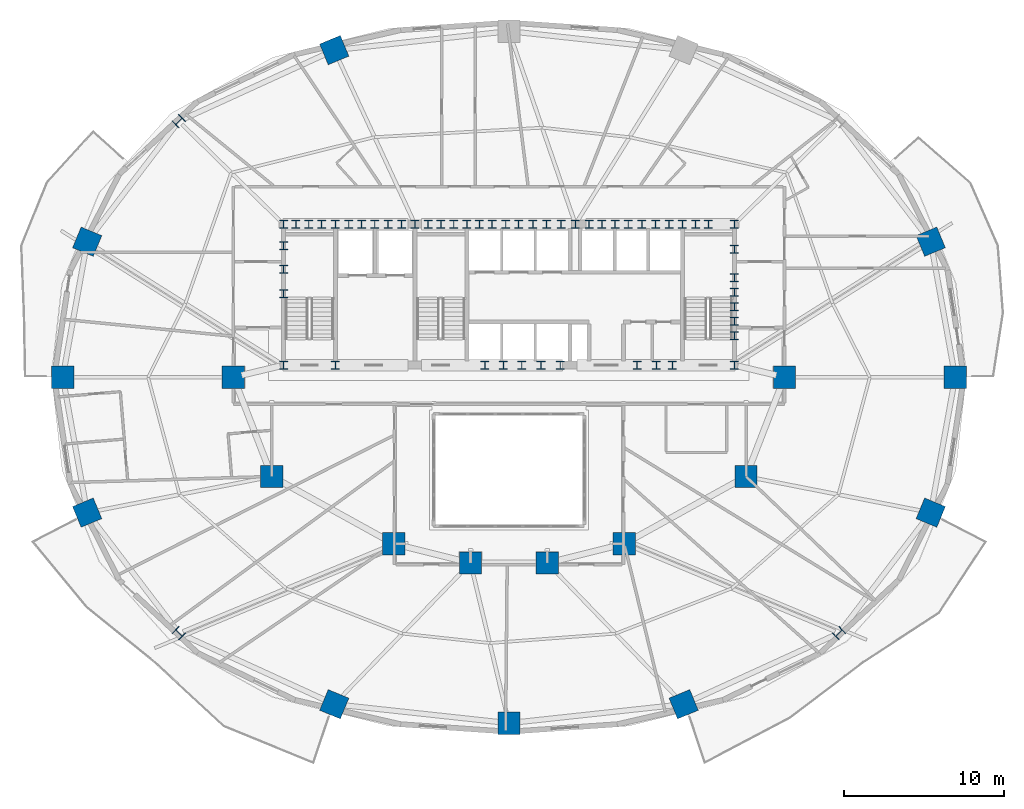
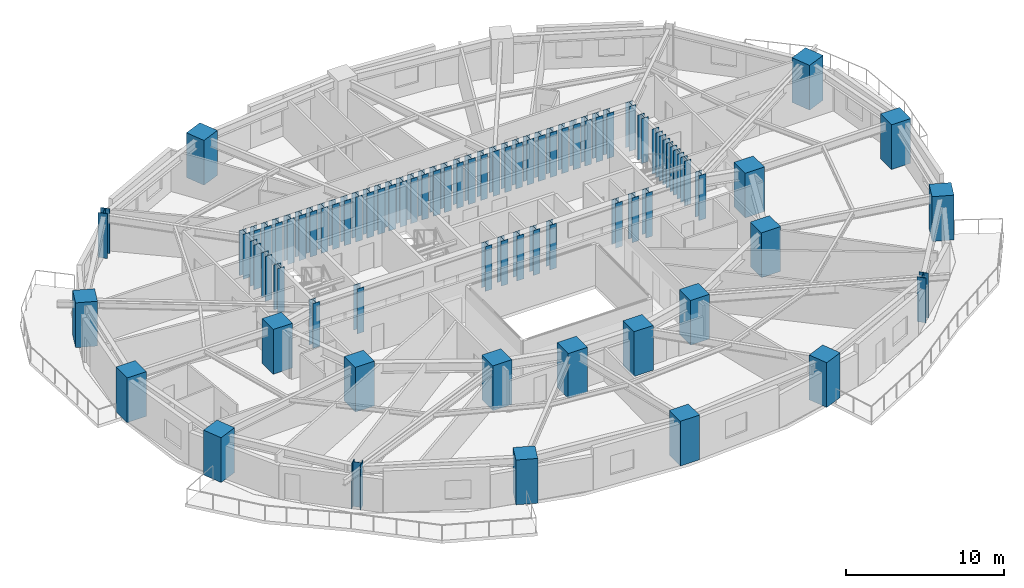
# One storey, part 1 of 15: 75 columns.
"""IFC4 building model written with IfcOpenShell, lengths in metres."""

from ifc_helpers import new_model, si_unit, direction, frame, origin, origin_2d, place, context, subcontext, project, spatial, rectangle, i_section, extrude, material, material_profile, profile_set, type_object, element, save


model = new_model("IFC4")

# Units and contexts
model_context = context("Model", 3, precision=1e-05, world=origin(), true_north=direction((0.0, 1.0)))
body_context = subcontext(model_context, "Body", "Model", "MODEL_VIEW")
ifc_project = project(units=[si_unit("LENGTHUNIT", "METRE"), si_unit("AREAUNIT", "SQUARE_METRE"), si_unit("VOLUMEUNIT", "CUBIC_METRE"), si_unit("PLANEANGLEUNIT", "RADIAN"), si_unit("MASSUNIT", "GRAM", prefix="KILO")], contexts=[model_context])

# Site, building, storey
site_placement = place(None, origin())
site = spatial("IfcSite", under=ifc_project, at=site_placement, CompositionType="ELEMENT")
building_placement = place(site_placement, origin())
building = spatial("IfcBuilding", under=site, at=building_placement, Name="Haldorwick Loom Tower", CompositionType="ELEMENT")
storey_placement = place(building_placement, frame((0.0, 0.0, 92.14990234375)))
storey = spatial("IfcBuildingStorey", under=building, at=storey_placement, Name="L24", CompositionType="ELEMENT", Elevation=92.14990234375)

# Columns
ifc_material_1 = material(Name="Concrete C60 (60 MPa)", Category="concrete")
ifc_material_profile_1 = material_profile(ifc_material_1, rectangle(XDim=1.39990234375, YDim=1.39990234375, at=origin_2d()), Name="RC1400X1400", Category="concrete")
ifc_profile_set_1 = profile_set([ifc_material_profile_1], Name="Concrete C60 (60 MPa)")
column_type_1 = type_object("IfcColumnType", Name="STR-COL-MEGA1400", PredefinedType="COLUMN", material=ifc_profile_set_1)
for number, where, z_axis, x_axis, name in (
    (1, (53.199951171875, 26.0, 0.0), (0.0, 0.0, 1.0), (1.0, 0.0, 0.0), "L24 Inner Column IC-01"),
    (2, (50.800048828125, 19.800048828125, 0.0), (0.0, 0.0, 1.0), (1.0, 0.0, 0.0), "L24 Inner Column IC-02"),
    (3, (43.199951171875, 15.60009765625, 0.0), (0.0, 0.0, 1.0), (1.0, 0.0, 0.0), "L24 Inner Column IC-03"),
    (4, (38.39990234375, 14.39990234375, 0.0), (0.0, 0.0, 1.0), (1.0, 0.0, 0.0), "L24 Inner Column IC-04"),
    (5, (33.60009765625, 14.39990234375, 0.0), (0.0, 0.0, 1.0), (1.0, 0.0, 0.0), "L24 Inner Column IC-05"),
    (6, (28.800048828125, 15.60009765625, 0.0), (0.0, 0.0, 1.0), (1.0, 0.0, 0.0), "L24 Inner Column IC-06"),
    (7, (21.199951171875, 19.800048828125, 0.0), (0.0, 0.0, 1.0), (1.0, 0.0, 0.0), "L24 Inner Column IC-07"),
    (8, (18.800048828125, 26.0, 0.0), (0.0, 0.0, 1.0), (1.0, 0.0, 0.0), "L24 Inner Column IC-08"),
):
    element("IfcColumn", number, at=place(storey_placement, frame(where, z_axis=z_axis, x_axis=x_axis)), inside=storey, type_object=column_type_1, Name=name, PredefinedType="COLUMN", context=body_context, shape_type="SweptSolid", body=[
        extrude(rectangle(XDim=1.39990234375, YDim=1.39990234375, at=origin_2d()), origin(), (0.0, 0.0, 1.0), 3.4501953125),
    ])
ifc_material_profile_2 = material_profile(ifc_material_1, rectangle(XDim=1.39990234375, YDim=1.39990234375, at=origin_2d()), Name="RC1400X1400", Category="concrete")
ifc_profile_set_2 = profile_set([ifc_material_profile_2], Name="Concrete C60 (60 MPa)")
column_type_2 = type_object("IfcColumnType", Name="STR-COL-RC1400", PredefinedType="PILASTER", material=ifc_profile_set_2)
for number, where, z_axis, x_axis, name in (
    (9, (63.857666015625, 26.0, 0.0), (0.0, 0.0, 1.0), (1.0, 0.0, 0.0), "L24 Perimeter Pier Column P01"),
    (10, (62.33056640625, 34.457275390625, 0.0), (0.0, 0.0, 1.0), (0.923879532511, 0.382683432365, 0.0), "L24 Perimeter Pier Column P02"),
    (11, (25.093505859375, 46.417724609375, 0.0), (0.0, 0.0, 1.0), (-0.382683432365, 0.923879532511, 0.0), "L24 Perimeter Pier Column P06"),
    (12, (9.66943359375, 34.457275390625, 0.0), (0.0, 0.0, 1.0), (-0.923879532511, 0.382683432365, 0.0), "L24 Perimeter Pier Column P08"),
    (13, (8.142333984375, 26.0, 0.0), (0.0, 0.0, 1.0), (-1.0, 0.0, 0.0), "L24 Perimeter Pier Column P09"),
    (14, (9.66943359375, 17.542724609375, 0.0), (0.0, 0.0, 1.0), (-0.923879532511, -0.382683432365, 0.0), "L24 Perimeter Pier Column P10"),
    (15, (25.093505859375, 5.582275390625, 0.0), (0.0, 0.0, 1.0), (-0.382683432365, -0.923879532511, 0.0), "L24 Perimeter Pier Column P12"),
    (16, (36.0, 4.401611328125, 0.0), (0.0, 0.0, 1.0), (0.0, -1.0, 0.0), "L24 Perimeter Pier Column P13"),
    (17, (46.906494140625, 5.582275390625, 0.0), (0.0, 0.0, 1.0), (0.382683432365, -0.923879532511, 0.0), "L24 Perimeter Pier Column P14"),
    (18, (62.33056640625, 17.542724609375, 0.0), (0.0, 0.0, 1.0), (0.923879532511, -0.382683432365, 0.0), "L24 Perimeter Pier Column P16"),
):
    element("IfcColumn", number, at=place(storey_placement, frame(where, z_axis=z_axis, x_axis=x_axis)), inside=storey, type_object=column_type_2, Name=name, PredefinedType="PILASTER", context=body_context, shape_type="SweptSolid", body=[
        extrude(rectangle(XDim=1.39990234375, YDim=1.39990234375, at=origin_2d()), origin(), (0.0, 0.0, 1.0), 3.4501953125),
    ])
ifc_material_2 = material(Name="Steel CSA G40.21 350WT", Category="steel")
ifc_material_profile_3 = material_profile(ifc_material_2, i_section(OverallWidth=0.5, OverallDepth=0.5, WebThickness=0.02197265625, FlangeThickness=0.031982421875, at=origin_2d()), Name="WWF500X500", Category="steel")
ifc_profile_set_3 = profile_set([ifc_material_profile_3], Name="Steel CSA G40.21 350WT")
column_type_3 = type_object("IfcColumnType", Name="STR-COL-WWF500", PredefinedType="COLUMN", material=ifc_profile_set_3)
for number, where, z_axis, x_axis, name in (
    (19, (21.929931640625, 35.550048828125, 0.0), (0.0, 0.0, 1.0), (1.0, 0.0, 0.0), "L24 Core Pilaster CB-01"),
    (20, (23.5, 35.550048828125, 0.0), (0.0, 0.0, 1.0), (1.0, 0.0, 0.0), "L24 Core Pilaster CB-02"),
    (21, (25.169921875, 35.550048828125, 0.0), (0.0, 0.0, 1.0), (1.0, 0.0, 0.0), "L24 Core Pilaster CB-03"),
    (22, (26.800048828125, 35.550048828125, 0.0), (0.0, 0.0, 1.0), (1.0, 0.0, 0.0), "L24 Core Pilaster CB-04"),
    (23, (28.449951171875, 35.550048828125, 0.0), (0.0, 0.0, 1.0), (1.0, 0.0, 0.0), "L24 Core Pilaster CB-05"),
    (24, (30.1298828125, 35.550048828125, 0.0), (0.0, 0.0, 1.0), (1.0, 0.0, 0.0), "L24 Core Pilaster CB-06"),
    (25, (31.75, 35.550048828125, 0.0), (0.0, 0.0, 1.0), (1.0, 0.0, 0.0), "L24 Core Pilaster CB-07"),
    (26, (33.3701171875, 35.550048828125, 0.0), (0.0, 0.0, 1.0), (1.0, 0.0, 0.0), "L24 Core Pilaster CB-08"),
    (27, (34.949951171875, 35.550048828125, 0.0), (0.0, 0.0, 1.0), (1.0, 0.0, 0.0), "L24 Core Pilaster CB-09"),
    (28, (36.60009765625, 35.550048828125, 0.0), (0.0, 0.0, 1.0), (1.0, 0.0, 0.0), "L24 Core Pilaster CB-10"),
    (29, (38.35009765625, 35.550048828125, 0.0), (0.0, 0.0, 1.0), (1.0, 0.0, 0.0), "L24 Core Pilaster CB-11"),
    (30, (40.14990234375, 35.550048828125, 0.0), (0.0, 0.0, 1.0), (1.0, 0.0, 0.0), "L24 Core Pilaster CB-12"),
    (31, (41.800048828125, 35.550048828125, 0.0), (0.0, 0.0, 1.0), (1.0, 0.0, 0.0), "L24 Core Pilaster CB-13"),
    (32, (43.449951171875, 35.550048828125, 0.0), (0.0, 0.0, 1.0), (1.0, 0.0, 0.0), "L24 Core Pilaster CB-14"),
    (33, (45.14990234375, 35.550048828125, 0.0), (0.0, 0.0, 1.0), (1.0, 0.0, 0.0), "L24 Core Pilaster CB-15"),
    (34, (46.830078125, 35.550048828125, 0.0), (0.0, 0.0, 1.0), (1.0, 0.0, 0.0), "L24 Core Pilaster CB-16"),
    (35, (48.449951171875, 35.550048828125, 0.0), (0.0, 0.0, 1.0), (1.0, 0.0, 0.0), "L24 Core Pilaster CB-17"),
    (36, (50.070068359375, 35.550048828125, 0.0), (0.0, 0.0, 1.0), (1.0, 0.0, 0.0), "L24 Core Pilaster CB-18"),
    (37, (21.929931640625, 26.75, 0.0), (0.0, 0.0, 1.0), (1.0, 0.0, 0.0), "L24 Core Pilaster CB-19"),
    (38, (25.169921875, 26.75, 0.0), (0.0, 0.0, 1.0), (1.0, 0.0, 0.0), "L24 Core Pilaster CB-20"),
    (39, (34.5, 26.75, 0.0), (0.0, 0.0, 1.0), (1.0, 0.0, 0.0), "L24 Core Pilaster CB-21"),
    (40, (36.800048828125, 26.75, 0.0), (0.0, 0.0, 1.0), (1.0, 0.0, 0.0), "L24 Core Pilaster CB-22"),
    (41, (39.199951171875, 26.75, 0.0), (0.0, 0.0, 1.0), (1.0, 0.0, 0.0), "L24 Core Pilaster CB-23"),
    (42, (45.199951171875, 26.75, 0.0), (0.0, 0.0, 1.0), (1.0, 0.0, 0.0), "L24 Core Pilaster CB-24"),
    (43, (50.070068359375, 26.75, 0.0), (0.0, 0.0, 1.0), (1.0, 0.0, 0.0), "L24 Core Pilaster CB-25"),
    (44, (21.929931640625, 31.199951171875, 0.0), (0.0, 0.0, 1.0), (1.0, 0.0, 0.0), "L24 Core Pilaster CB-26"),
    (45, (21.929931640625, 32.75, 0.0), (0.0, 0.0, 1.0), (1.0, 0.0, 0.0), "L24 Core Pilaster CB-27"),
    (46, (21.929931640625, 34.199951171875, 0.0), (0.0, 0.0, 1.0), (1.0, 0.0, 0.0), "L24 Core Pilaster CB-28"),
    (47, (50.070068359375, 28.60009765625, 0.0), (0.0, 0.0, 1.0), (1.0, 0.0, 0.0), "L24 Core Pilaster CB-29"),
    (48, (50.070068359375, 30.39990234375, 0.0), (0.0, 0.0, 1.0), (1.0, 0.0, 0.0), "L24 Core Pilaster CB-30"),
    (49, (50.070068359375, 32.199951171875, 0.0), (0.0, 0.0, 1.0), (1.0, 0.0, 0.0), "L24 Core Pilaster CB-31"),
    (50, (50.070068359375, 34.0, 0.0), (0.0, 0.0, 1.0), (1.0, 0.0, 0.0), "L24 Core Pilaster CB-32"),
    (51, (22.699951171875, 35.550048828125, 0.0), (0.0, 0.0, 1.0), (1.0, 0.0, 0.0), "L24 Core Pilaster CB-33"),
    (52, (27.6201171875, 35.550048828125, 0.0), (0.0, 0.0, 1.0), (1.0, 0.0, 0.0), "L24 Core Pilaster CB-34"),
    (53, (32.550048828125, 35.550048828125, 0.0), (0.0, 0.0, 1.0), (1.0, 0.0, 0.0), "L24 Core Pilaster CB-35"),
    (54, (37.5, 35.550048828125, 0.0), (0.0, 0.0, 1.0), (1.0, 0.0, 0.0), "L24 Core Pilaster CB-36"),
    (55, (42.6201171875, 35.550048828125, 0.0), (0.0, 0.0, 1.0), (1.0, 0.0, 0.0), "L24 Core Pilaster CB-37"),
    (56, (47.64990234375, 35.550048828125, 0.0), (0.0, 0.0, 1.0), (1.0, 0.0, 0.0), "L24 Core Pilaster CB-38"),
    (57, (24.300048828125, 35.550048828125, 0.0), (0.0, 0.0, 1.0), (1.0, 0.0, 0.0), "L24 Core Pilaster CB-39"),
    (58, (26.0, 35.550048828125, 0.0), (0.0, 0.0, 1.0), (1.0, 0.0, 0.0), "L24 Core Pilaster CB-40"),
    (59, (29.300048828125, 35.550048828125, 0.0), (0.0, 0.0, 1.0), (1.0, 0.0, 0.0), "L24 Core Pilaster CB-41"),
    (60, (30.949951171875, 35.550048828125, 0.0), (0.0, 0.0, 1.0), (1.0, 0.0, 0.0), "L24 Core Pilaster CB-42"),
    (61, (34.14990234375, 35.550048828125, 0.0), (0.0, 0.0, 1.0), (1.0, 0.0, 0.0), "L24 Core Pilaster CB-43"),
    (62, (35.800048828125, 35.550048828125, 0.0), (0.0, 0.0, 1.0), (1.0, 0.0, 0.0), "L24 Core Pilaster CB-44"),
    (63, (39.25, 35.550048828125, 0.0), (0.0, 0.0, 1.0), (1.0, 0.0, 0.0), "L24 Core Pilaster CB-45"),
    (64, (41.0, 35.550048828125, 0.0), (0.0, 0.0, 1.0), (1.0, 0.0, 0.0), "L24 Core Pilaster CB-46"),
    (65, (44.300048828125, 35.550048828125, 0.0), (0.0, 0.0, 1.0), (1.0, 0.0, 0.0), "L24 Core Pilaster CB-47"),
    (66, (46.0, 35.550048828125, 0.0), (0.0, 0.0, 1.0), (1.0, 0.0, 0.0), "L24 Core Pilaster CB-48"),
    (67, (50.070068359375, 29.5, 0.0), (0.0, 0.0, 1.0), (1.0, 0.0, 0.0), "L24 Core Pilaster CB-49"),
    (68, (50.070068359375, 31.300048828125, 0.0), (0.0, 0.0, 1.0), (1.0, 0.0, 0.0), "L24 Core Pilaster CB-50"),
    (69, (35.64990234375, 26.75, 0.0), (0.0, 0.0, 1.0), (1.0, 0.0, 0.0), "L24 Core Pilaster CB-51"),
    (70, (38.0, 26.75, 0.0), (0.0, 0.0, 1.0), (1.0, 0.0, 0.0), "L24 Core Pilaster CB-52"),
    (71, (44.0, 26.75, 0.0), (0.0, 0.0, 1.0), (1.0, 0.0, 0.0), "L24 Core Pilaster CB-53"),
    (72, (46.199951171875, 26.75, 0.0), (0.0, 0.0, 1.0), (1.0, 0.0, 0.0), "L24 Core Pilaster CB-54"),
):
    element("IfcColumn", number, at=place(storey_placement, frame(where, z_axis=z_axis, x_axis=x_axis)), inside=storey, type_object=column_type_3, Name=name, PredefinedType="COLUMN", context=body_context, shape_type="SweptSolid", body=[
        extrude(i_section(OverallWidth=0.5, OverallDepth=0.5, WebThickness=0.02197265625, FlangeThickness=0.031982421875, at=origin_2d()), origin(), (0.0, 0.0, 1.0), 3.4501953125),
    ])
ifc_material_profile_4 = material_profile(ifc_material_2, i_section(OverallWidth=0.60009765625, OverallDepth=0.60009765625, WebThickness=0.02490234375, FlangeThickness=0.035888671875, at=origin_2d()), Name="WWF600X600", Category="steel")
ifc_profile_set_4 = profile_set([ifc_material_profile_4], Name="Steel CSA G40.21 350WT")
column_type_4 = type_object("IfcColumnType", Name="STR-COL-WWF600", PredefinedType="COLUMN", material=ifc_profile_set_4)
for number, where, z_axis, x_axis, name in (
    (73, (15.393310546875, 41.981689453125, 0.0), (0.0, 0.0, 1.0), (-0.707106781187, 0.707106781187, 0.0), "L24 Perimeter Pier Column P07"),
    (74, (15.393310546875, 10.018310546875, 0.0), (0.0, 0.0, 1.0), (-0.707106781187, -0.707106781187, 0.0), "L24 Perimeter Pier Column P11"),
    (75, (56.606689453125, 10.018310546875, 0.0), (0.0, 0.0, 1.0), (0.707106781187, -0.707106781187, 0.0), "L24 Perimeter Pier Column P15"),
):
    element("IfcColumn", number, at=place(storey_placement, frame(where, z_axis=z_axis, x_axis=x_axis)), inside=storey, type_object=column_type_4, Name=name, PredefinedType="COLUMN", context=body_context, shape_type="SweptSolid", body=[
        extrude(i_section(OverallWidth=0.60009765625, OverallDepth=0.60009765625, WebThickness=0.02490234375, FlangeThickness=0.035888671875, at=origin_2d()), origin(), (0.0, 0.0, 1.0), 3.4501953125),
    ])

save(model, "model.ifc")
